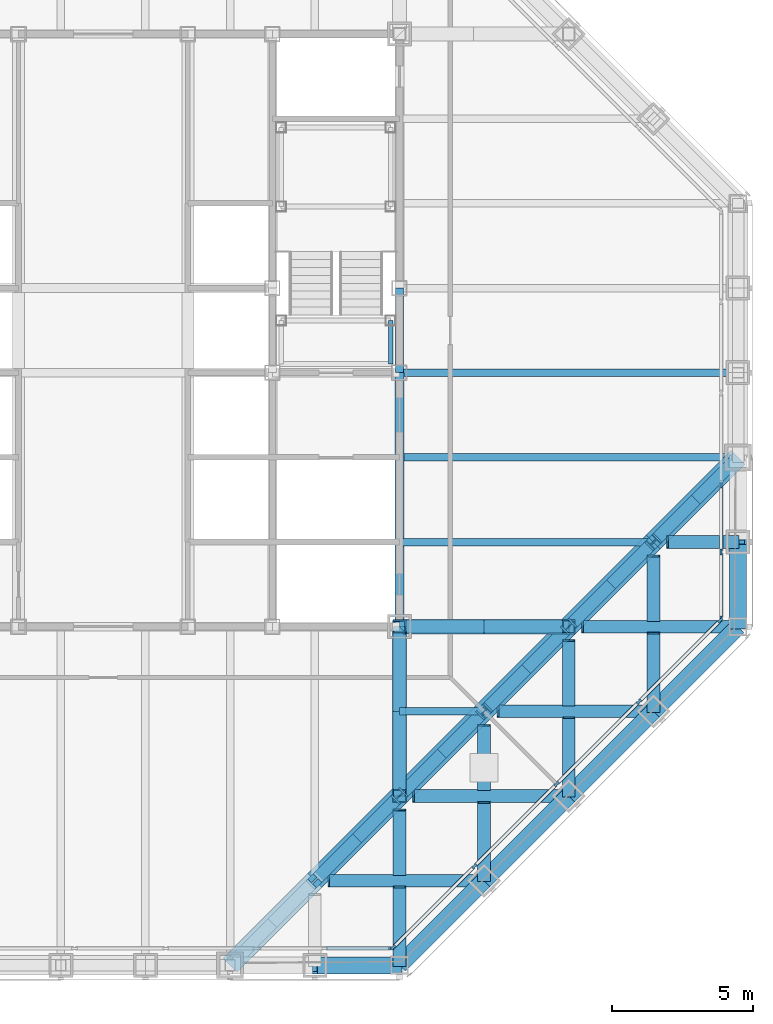
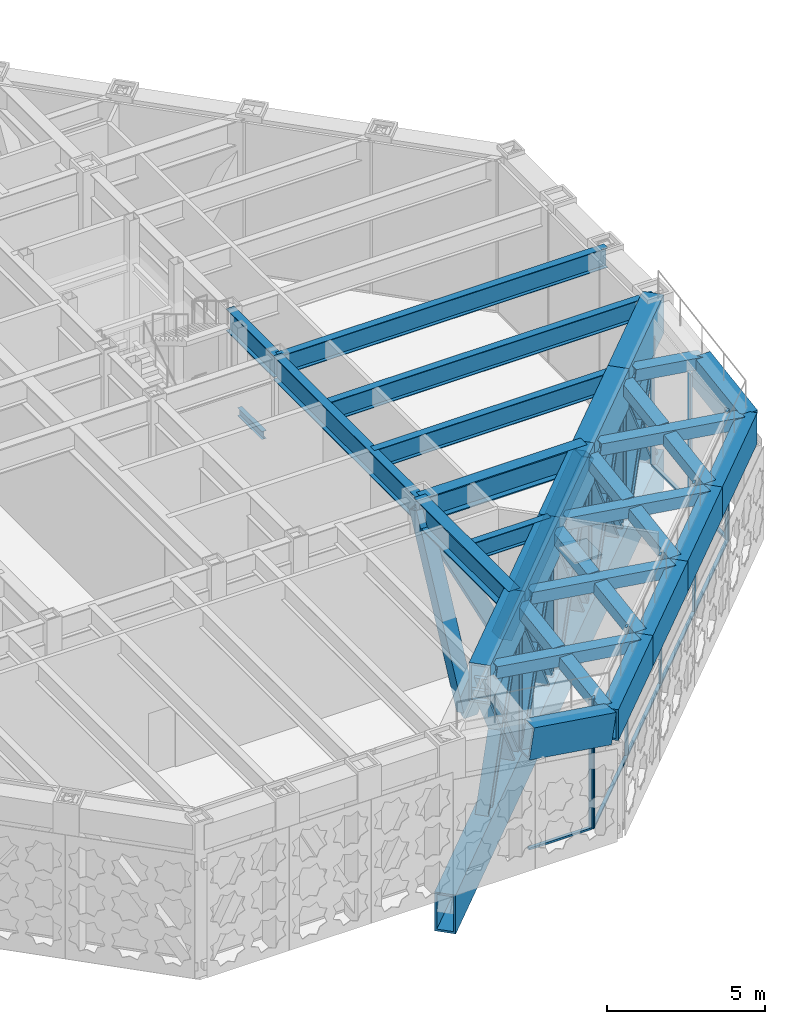
# One storey, part 7 of 29: 40 members, 28 beams, 3 elements without a shape of their own.
"""IFC4 building model written with IfcOpenShell, lengths in metres."""

from ifc_helpers import new_model, si_unit, direction, frame, origin, origin_2d, place, context, subcontext, project, spatial, rectangle, hollow_rectangle, i_section, extrude, material, layer, layer_set, material_profile, profile_set, type_object, element, aggregate, save


model = new_model("IFC4")

# Units and contexts
model_context = context("Model", 3, precision=1e-05, world=origin(), true_north=direction((0.0, 1.0)))
body_context = subcontext(model_context, "Body", "Model", "MODEL_VIEW")
ifc_project = project(units=[si_unit("LENGTHUNIT", "METRE"), si_unit("AREAUNIT", "SQUARE_METRE"), si_unit("VOLUMEUNIT", "CUBIC_METRE"), si_unit("PLANEANGLEUNIT", "RADIAN"), si_unit("MASSUNIT", "GRAM", prefix="KILO")], contexts=[model_context])

# Site, building, storey
site_placement = place(None, origin())
site = spatial("IfcSite", under=ifc_project, at=site_placement, CompositionType="ELEMENT")
building_placement = place(site_placement, origin())
building = spatial("IfcBuilding", under=site, at=building_placement, Name="Chuquiago Exchange Tower", CompositionType="ELEMENT")
storey_placement = place(building_placement, frame((0.0, 0.0, 251.699951171875)))
storey = spatial("IfcBuildingStorey", under=building, at=storey_placement, Name="L56", CompositionType="ELEMENT", Elevation=251.699951171875)

# Beams
ifc_material_1 = material(Name="Steel ASTM A992", Category="steel")
ifc_material_profile_1 = material_profile(ifc_material_1, i_section(OverallWidth=0.307373046875, OverallDepth=0.927001953125, WebThickness=0.01953125, FlangeThickness=0.031982421875, at=origin_2d()), Name="W36X194")
ifc_profile_set_1 = profile_set([ifc_material_profile_1], Name="Steel ASTM A992")
beam_type_1 = type_object("IfcBeamType", Name="B10 W36X194", PredefinedType="BEAM", material=ifc_profile_set_1)
beam_1_placement = place(storey_placement, frame((33.0, 12.0, 5.37646484375), z_axis=(0.0, 1.0, 0.0), x_axis=(-1.0, 0.0, 0.0)))
element("IfcBeam", 1, at=beam_1_placement, inside=storey, type_object=beam_type_1, Name="CB-L57-33_12-33_21", PredefinedType="BEAM", context=body_context, shape_type="SweptSolid", body=[
    extrude(i_section(OverallWidth=0.307373046875, OverallDepth=0.927001953125, WebThickness=0.01953125, FlangeThickness=0.031982421875, at=origin_2d()), origin(), (0.0, 0.0, 1.0), 9.0),
])
ifc_material_2 = material(Name="Steel ASTM A992", Category="steel")
ifc_material_profile_2 = material_profile(ifc_material_2, i_section(OverallWidth=0.2919921875, OverallDepth=0.8583984375, WebThickness=0.01708984375, FlangeThickness=0.031005859375, at=origin_2d()), Name="W33X169")
ifc_profile_set_2 = profile_set([ifc_material_profile_2], Name="Steel ASTM A992")
beam_type_2 = type_object("IfcBeamType", Name="B3 W33X169", PredefinedType="BEAM", material=ifc_profile_set_2)
beam_2_placement = place(storey_placement, frame((33.0, 21.0, 5.41064453125), z_axis=(0.0, 1.0, 0.0), x_axis=(-1.0, 0.0, 0.0)))
element("IfcBeam", 2, at=beam_2_placement, inside=storey, type_object=beam_type_2, Name="CB-L57-33_21-33_24", PredefinedType="BEAM", context=body_context, shape_type="SweptSolid", body=[
    extrude(i_section(OverallWidth=0.2919921875, OverallDepth=0.8583984375, WebThickness=0.01708984375, FlangeThickness=0.031005859375, at=origin_2d()), origin(), (0.0, 0.0, 1.0), 3.0),
])
ifc_material_3 = material(Name="Steel ASTM A992", Category="steel")
ifc_material_profile_3 = material_profile(ifc_material_3, i_section(OverallWidth=0.2666015625, OverallDepth=0.761962890625, WebThickness=0.014404296875, FlangeThickness=0.021484375, at=origin_2d()), Name="W30X116")
ifc_profile_set_3 = profile_set([ifc_material_profile_3], Name="Steel ASTM A992")
beam_type_3 = type_object("IfcBeamType", Name="B8 W30X116", PredefinedType="BEAM", material=ifc_profile_set_3)
beam_3_placement = place(storey_placement, frame((33.0, 15.0, 5.458984375), z_axis=(1.0, 0.0, 0.0), x_axis=(0.0, 1.0, 0.0)))
element("IfcBeam", 3, at=beam_3_placement, inside=storey, type_object=beam_type_3, Name="FB-L57-infill-33_15-42_15-0", PredefinedType="BEAM", context=body_context, shape_type="SweptSolid", body=[
    extrude(i_section(OverallWidth=0.2666015625, OverallDepth=0.761962890625, WebThickness=0.014404296875, FlangeThickness=0.021484375, at=origin_2d()), origin(), (0.0, 0.0, 1.0), 9.0),
])
for number, where, z_axis, x_axis, name in (
    (4, (33.0, 18.0, 5.458984375), (1.0, 0.0, 0.0), (0.0, 1.0, 0.0), "FB-L57-infill-33_18-45_18-0"),
    (5, (33.0, 21.0, 5.458984375), (1.0, 0.0, 0.0), (0.0, 1.0, 0.0), "FB-L57-infill-33_21-45_21-0"),
):
    element("IfcBeam", number, at=place(storey_placement, frame(where, z_axis=z_axis, x_axis=x_axis)), inside=storey, type_object=beam_type_3, Name=name, PredefinedType="BEAM", context=body_context, shape_type="SweptSolid", body=[
        extrude(i_section(OverallWidth=0.2666015625, OverallDepth=0.761962890625, WebThickness=0.014404296875, FlangeThickness=0.021484375, at=origin_2d()), origin(), (0.0, 0.0, 1.0), 12.0),
    ])
ifc_material_4 = material(Name="Steel ASTM A992", Category="steel")
ifc_material_profile_4 = material_profile(ifc_material_4, i_section(OverallWidth=0.256591796875, OverallDepth=0.693359375, WebThickness=0.014404296875, FlangeThickness=0.023681640625, at=origin_2d()), Name="W27X114")
ifc_profile_set_4 = profile_set([ifc_material_profile_4], Name="Steel ASTM A992")
beam_type_4 = type_object("IfcBeamType", Name="B9 W27X114", PredefinedType="BEAM", material=ifc_profile_set_4)
beam_4_placement = place(storey_placement, frame((33.0, 9.0, 5.493408203125), z_axis=(1.0, 0.0, 0.0), x_axis=(0.0, 1.0, 0.0)))
element("IfcBeam", 6, at=beam_4_placement, inside=storey, type_object=beam_type_4, Name="FB-L57-corner-33_9-36_9-0", PredefinedType="BEAM", context=body_context, shape_type="SweptSolid", body=[
    extrude(i_section(OverallWidth=0.256591796875, OverallDepth=0.693359375, WebThickness=0.014404296875, FlangeThickness=0.023681640625, at=origin_2d()), origin(), (0.0, 0.0, 1.0), 3.0),
])

# Curtain wall, member
ifc_material_5 = material(Name="Aluminium curtain wall system", Category="aluminium")
ifc_layer = layer(ifc_material_5, 0.199951171875)
ifc_layer_set = layer_set([ifc_layer], Name="CW6 plant floor louvre wall")
curtain_wall_type = type_object("IfcCurtainWallType", Name="CW6 plant floor louvre wall", PredefinedType="NOTDEFINED", material=ifc_layer_set)
curtain_wall_1_placement = place(storey_placement, origin())
curtain_wall_1 = element("IfcCurtainWall", 7, at=curtain_wall_1_placement, inside=storey, type_object=curtain_wall_type, Name="CW6 curtain wall L56", PredefinedType="NOTDEFINED")
ifc_material_6 = material(Name="Aluminium mullion, pale anodised", Category="aluminium")
ifc_material_profile_5 = material_profile(ifc_material_6, rectangle(XDim=0.074951171875, YDim=0.199951171875, at=origin_2d()), Name="AL 75x200")
ifc_profile_set_5 = profile_set([ifc_material_profile_5], Name="Aluminium mullion, pale anodised")
member_type_1 = type_object("IfcMemberType", Name="CW6-M mullion 75x200", PredefinedType="MULLION", material=ifc_profile_set_5)
member_1_placement = place(storey_placement, frame((32.7138671875, 0.60009765625, 0.0), z_axis=(0.0, 0.0, 1.0), x_axis=(0.0, 1.0, 0.0)))
member_1 = element("IfcMember", 8, at=member_1_placement, type_object=member_type_1, Name="CW6 mullion 3", PredefinedType="MULLION", context=body_context, shape_type="SweptSolid", body=[
    extrude(rectangle(XDim=0.074951171875, YDim=0.199951171875, at=origin_2d()), origin(), (0.0, 0.0, 1.0), 5.021240234375),
])

# Curtain wall, members
curtain_wall_2_placement = place(storey_placement, origin())
curtain_wall_2 = element("IfcCurtainWall", 9, at=curtain_wall_2_placement, inside=storey, type_object=curtain_wall_type, Name="CW6 curtain wall L56", PredefinedType="NOTDEFINED")
member_2_placement = place(storey_placement, frame((32.778076171875, 0.62646484375, 0.0), z_axis=(0.0, 0.0, 1.0), x_axis=(-0.707106781187, 0.707106781187, 0.0)))
member_2 = element("IfcMember", 10, at=member_2_placement, type_object=member_type_1, Name="CW6 mullion 1", PredefinedType="MULLION", context=body_context, shape_type="SweptSolid", body=[
    extrude(rectangle(XDim=0.074951171875, YDim=0.199951171875, at=origin_2d()), origin(), (0.0, 0.0, 1.0), 5.021240234375),
])
member_3_placement = place(storey_placement, frame((35.66357421875, 3.51220703125, 0.0), z_axis=(0.0, 0.0, 1.0), x_axis=(-0.707106781187, 0.707106781187, 0.0)))
member_3 = element("IfcMember", 11, at=member_3_placement, type_object=member_type_1, Name="CW6 mullion 2", PredefinedType="MULLION", context=body_context, shape_type="SweptSolid", body=[
    extrude(rectangle(XDim=0.074951171875, YDim=0.199951171875, at=origin_2d()), origin(), (0.0, 0.0, 1.0), 5.021240234375),
])
member_4_placement = place(storey_placement, frame((38.57568359375, 6.42431640625, 0.0), z_axis=(0.0, 0.0, 1.0), x_axis=(-0.707106781187, 0.707106781187, 0.0)))
member_4 = element("IfcMember", 12, at=member_4_placement, type_object=member_type_1, Name="CW6 mullion 3", PredefinedType="MULLION", context=body_context, shape_type="SweptSolid", body=[
    extrude(rectangle(XDim=0.074951171875, YDim=0.199951171875, at=origin_2d()), origin(), (0.0, 0.0, 1.0), 5.021240234375),
])
member_5_placement = place(storey_placement, frame((41.48779296875, 9.33642578125, 0.0), z_axis=(0.0, 0.0, 1.0), x_axis=(-0.707106781187, 0.707106781187, 0.0)))
member_5 = element("IfcMember", 13, at=member_5_placement, type_object=member_type_1, Name="CW6 mullion 4", PredefinedType="MULLION", context=body_context, shape_type="SweptSolid", body=[
    extrude(rectangle(XDim=0.074951171875, YDim=0.199951171875, at=origin_2d()), origin(), (0.0, 0.0, 1.0), 5.021240234375),
])
member_6_placement = place(storey_placement, frame((44.37353515625, 12.221923828125, 0.0), z_axis=(0.0, 0.0, 1.0), x_axis=(-0.707106781187, 0.707106781187, 0.0)))
member_6 = element("IfcMember", 14, at=member_6_placement, type_object=member_type_1, Name="CW6 mullion 5", PredefinedType="MULLION", context=body_context, shape_type="SweptSolid", body=[
    extrude(rectangle(XDim=0.074951171875, YDim=0.199951171875, at=origin_2d()), origin(), (0.0, 0.0, 1.0), 5.021240234375),
])

curtain_wall_3_placement = place(storey_placement, origin())
curtain_wall_3 = element("IfcCurtainWall", 15, at=curtain_wall_3_placement, inside=storey, type_object=curtain_wall_type, Name="CW6 curtain wall L56", PredefinedType="NOTDEFINED")
member_7_placement = place(storey_placement, frame((44.39990234375, 12.285888671875, 0.0), z_axis=(0.0, 0.0, 1.0), x_axis=(-1.0, 0.0, 0.0)))
member_7 = element("IfcMember", 16, at=member_7_placement, type_object=member_type_1, Name="CW6 mullion 1", PredefinedType="MULLION", context=body_context, shape_type="SweptSolid", body=[
    extrude(rectangle(XDim=0.074951171875, YDim=0.199951171875, at=origin_2d()), origin(), (0.0, 0.0, 1.0), 5.021240234375),
])
member_8_placement = place(storey_placement, frame((44.39990234375, 14.6474609375, 0.0), z_axis=(0.0, 0.0, 1.0), x_axis=(-1.0, 0.0, 0.0)))
member_8 = element("IfcMember", 17, at=member_8_placement, type_object=member_type_1, Name="CW6 mullion 2", PredefinedType="MULLION", context=body_context, shape_type="SweptSolid", body=[
    extrude(rectangle(XDim=0.074951171875, YDim=0.199951171875, at=origin_2d()), origin(), (0.0, 0.0, 1.0), 5.021240234375),
])
member_9_placement = place(storey_placement, frame((44.39990234375, 17.0087890625, 0.0), z_axis=(0.0, 0.0, 1.0), x_axis=(-1.0, 0.0, 0.0)))
member_9 = element("IfcMember", 18, at=member_9_placement, type_object=member_type_1, Name="CW6 mullion 3", PredefinedType="MULLION", context=body_context, shape_type="SweptSolid", body=[
    extrude(rectangle(XDim=0.074951171875, YDim=0.199951171875, at=origin_2d()), origin(), (0.0, 0.0, 1.0), 5.021240234375),
])

# Member
ifc_material_7 = material(Name="Aluminium transom, pale anodised", Category="aluminium")
ifc_material_profile_6 = material_profile(ifc_material_7, rectangle(XDim=0.1201171875, YDim=0.074951171875, at=origin_2d()), Name="AL 120x75")
ifc_profile_set_6 = profile_set([ifc_material_profile_6], Name="Aluminium transom, pale anodised")
member_type_2 = type_object("IfcMemberType", Name="CW6-T transom 75x120", PredefinedType="MULLION", material=ifc_profile_set_6)
member_10_placement = place(storey_placement, frame((30.389892578125, 0.60009765625, 0.03759765625), z_axis=(1.0, 0.0, 0.0), x_axis=(0.0, 1.0, 0.0)))
member_10 = element("IfcMember", 19, at=member_10_placement, type_object=member_type_2, Name="CW6 transom 2.1", PredefinedType="MULLION", context=body_context, shape_type="SweptSolid", body=[
    extrude(rectangle(XDim=0.1201171875, YDim=0.074951171875, at=origin_2d()), origin(), (0.0, 0.0, 1.0), 2.28662109375),
])

aggregate(curtain_wall_1, [member_1, member_10])

member_11_placement = place(storey_placement, frame((32.804443359375, 0.653076171875, 0.03759765625), z_axis=(0.707137252703, 0.707076308357, 0.0), x_axis=(-0.707076308357, 0.707137252703, 0.0)))
member_11 = element("IfcMember", 20, at=member_11_placement, type_object=member_type_2, Name="CW6 transom 1.1", PredefinedType="MULLION", context=body_context, shape_type="SweptSolid", body=[
    extrude(rectangle(XDim=0.1201171875, YDim=0.074951171875, at=origin_2d()), origin(), (0.0, 0.0, 1.0), 4.005859375),
])

member_12_placement = place(storey_placement, frame((35.690185546875, 3.53857421875, 0.03759765625), z_axis=(0.707106781187, 0.707106781187, 0.0), x_axis=(-0.707106781187, 0.707106781187, 0.0)))
member_12 = element("IfcMember", 21, at=member_12_placement, type_object=member_type_2, Name="CW6 transom 2.1", PredefinedType="MULLION", context=body_context, shape_type="SweptSolid", body=[
    extrude(rectangle(XDim=0.1201171875, YDim=0.074951171875, at=origin_2d()), origin(), (0.0, 0.0, 1.0), 4.04345703125),
])

member_13_placement = place(storey_placement, frame((38.602294921875, 6.45068359375, 0.03759765625), z_axis=(0.707106781187, 0.707106781187, 0.0), x_axis=(-0.707106781187, 0.707106781187, 0.0)))
member_13 = element("IfcMember", 22, at=member_13_placement, type_object=member_type_2, Name="CW6 transom 3.1", PredefinedType="MULLION", context=body_context, shape_type="SweptSolid", body=[
    extrude(rectangle(XDim=0.1201171875, YDim=0.074951171875, at=origin_2d()), origin(), (0.0, 0.0, 1.0), 4.04345703125),
])

member_14_placement = place(storey_placement, frame((41.514404296875, 9.36279296875, 0.03759765625), z_axis=(0.707076308357, 0.707137252703, 0.0), x_axis=(-0.707137252703, 0.707076308357, 0.0)))
member_14 = element("IfcMember", 23, at=member_14_placement, type_object=member_type_2, Name="CW6 transom 4.1", PredefinedType="MULLION", context=body_context, shape_type="SweptSolid", body=[
    extrude(rectangle(XDim=0.1201171875, YDim=0.074951171875, at=origin_2d()), origin(), (0.0, 0.0, 1.0), 4.005859375),
])

aggregate(curtain_wall_2, [member_2, member_3, member_4, member_5, member_6, member_11, member_12, member_13, member_14])

member_15_placement = place(storey_placement, frame((44.39990234375, 12.323486328125, 0.03759765625), z_axis=(0.0, 1.0, 0.0), x_axis=(-1.0, 0.0, 0.0)))
member_15 = element("IfcMember", 24, at=member_15_placement, type_object=member_type_2, Name="CW6 transom 1.1", PredefinedType="MULLION", context=body_context, shape_type="SweptSolid", body=[
    extrude(rectangle(XDim=0.1201171875, YDim=0.074951171875, at=origin_2d()), origin(), (0.0, 0.0, 1.0), 2.286376953125),
])

member_16_placement = place(storey_placement, frame((44.39990234375, 14.68505859375, 0.03759765625), z_axis=(0.0, 1.0, 0.0), x_axis=(-1.0, 0.0, 0.0)))
member_16 = element("IfcMember", 25, at=member_16_placement, type_object=member_type_2, Name="CW6 transom 2.1", PredefinedType="MULLION", context=body_context, shape_type="SweptSolid", body=[
    extrude(rectangle(XDim=0.1201171875, YDim=0.074951171875, at=origin_2d()), origin(), (0.0, 0.0, 1.0), 2.286376953125),
])

aggregate(curtain_wall_3, [member_7, member_8, member_9, member_15, member_16])

# Beams
ifc_material_8 = material(Name="Steel ASTM A572 Grade 50", Category="steel")
ifc_material_profile_7 = material_profile(ifc_material_8, hollow_rectangle(XDim=0.60009765625, YDim=1.199951171875, WallThickness=0.074951171875, at=origin_2d()), Name="BOX1200X600X75")
ifc_profile_set_7 = profile_set([ifc_material_profile_7], Name="Steel ASTM A572 Grade 50")
beam_type_5 = type_object("IfcBeamType", Name="EB3 BOX1200X600X75", PredefinedType="BEAM", material=ifc_profile_set_7)
beam_5_placement = place(storey_placement, frame((30.0, 0.0, 4.749267578125), z_axis=(0.98889144561, 0.0, -0.148639526371), x_axis=(0.0, 1.0, 0.0)))
element("IfcBeam", 26, at=beam_5_placement, inside=storey, type_object=beam_type_5, Name="Facet roof edge beam L56", PredefinedType="BEAM", context=body_context, shape_type="SweptSolid", body=[
    extrude(hollow_rectangle(XDim=0.60009765625, YDim=1.199951171875, WallThickness=0.074951171875, at=origin_2d()), origin(), (0.0, 0.0, 1.0), 3.03369140625),
])
for number, where, z_axis, x_axis, name in (
    (27, (33.0, 0.0, 4.29833984375), (0.707106781187, 0.707106781187, 0.0), (-0.707106781187, 0.707106781187, 0.0), "Facet roof edge beam L56"),
    (28, (36.0, 3.0, 4.29833984375), (0.707106781187, 0.707106781187, 0.0), (-0.707106781187, 0.707106781187, 0.0), "Facet roof edge beam L56"),
    (29, (39.0, 6.0, 4.29833984375), (0.707106781187, 0.707106781187, 0.0), (-0.707106781187, 0.707106781187, 0.0), "Facet roof edge beam L56"),
    (30, (42.0, 9.0, 4.29833984375), (0.707106781187, 0.707106781187, 0.0), (-0.707106781187, 0.707106781187, 0.0), "Facet roof edge beam L56"),
):
    element("IfcBeam", number, at=place(storey_placement, frame(where, z_axis=z_axis, x_axis=x_axis)), inside=storey, type_object=beam_type_5, Name=name, PredefinedType="BEAM", context=body_context, shape_type="SweptSolid", body=[
        extrude(hollow_rectangle(XDim=0.60009765625, YDim=1.199951171875, WallThickness=0.074951171875, at=origin_2d()), origin(), (0.0, 0.0, 1.0), 4.24267578125),
    ])
beam_6_placement = place(storey_placement, frame((45.0, 12.0, 4.29833984375), z_axis=(0.0, 0.98889144561, 0.148639526371), x_axis=(-1.0, 0.0, 0.0)))
element("IfcBeam", 31, at=beam_6_placement, inside=storey, type_object=beam_type_5, Name="Facet roof edge beam L56", PredefinedType="BEAM", context=body_context, shape_type="SweptSolid", body=[
    extrude(hollow_rectangle(XDim=0.60009765625, YDim=1.199951171875, WallThickness=0.074951171875, at=origin_2d()), origin(), (0.0, 0.0, 1.0), 3.03369140625),
])
ifc_material_9 = material(Name="Steel ASTM A572 Grade 50", Category="steel")
ifc_material_profile_8 = material_profile(ifc_material_9, hollow_rectangle(XDim=0.449951171875, YDim=0.449951171875, WallThickness=0.034912109375, at=origin_2d()), Name="BOX450X450X35")
ifc_profile_set_8 = profile_set([ifc_material_profile_8], Name="Steel ASTM A572 Grade 50")
beam_type_6 = type_object("IfcBeamType", Name="FR1 BOX450X450X35", PredefinedType="BEAM", material=ifc_profile_set_8)
for number, where, z_axis, x_axis, name in (
    (32, (30.492919921875, 3.0, 5.464599609375), (0.988894832514, 0.0, -0.14861699172), (0.0, 1.0, 0.0), "Facet roof rafter L56"),
    (33, (33.492919921875, 6.0, 5.464599609375), (0.988894832514, 0.0, -0.14861699172), (0.0, 1.0, 0.0), "Facet roof rafter L56"),
):
    element("IfcBeam", number, at=place(storey_placement, frame(where, z_axis=z_axis, x_axis=x_axis)), inside=storey, type_object=beam_type_6, Name=name, PredefinedType="BEAM", context=body_context, shape_type="SweptSolid", body=[
        extrude(hollow_rectangle(XDim=0.449951171875, YDim=0.449951171875, WallThickness=0.034912109375, at=origin_2d()), origin(), (0.0, 0.0, 1.0), 5.56884765625),
    ])
beam_7_placement = place(storey_placement, frame((33.0, 5.507080078125, 5.464599609375), z_axis=(0.0, -0.988890520477, -0.148645681103), x_axis=(1.0, 0.0, 0.0)))
element("IfcBeam", 34, at=beam_7_placement, inside=storey, type_object=beam_type_6, Name="Facet roof rafter L56", PredefinedType="BEAM", context=body_context, shape_type="SweptSolid", body=[
    extrude(hollow_rectangle(XDim=0.449951171875, YDim=0.449951171875, WallThickness=0.034912109375, at=origin_2d()), origin(), (0.0, 0.0, 1.0), 2.3076171875),
])
beam_8_placement = place(storey_placement, frame((33.0, 2.77490234375, 5.053955078125), z_axis=(0.0, -0.988896750706, -0.148604227539), x_axis=(1.0, 0.0, 0.0)))
element("IfcBeam", 35, at=beam_8_placement, inside=storey, type_object=beam_type_6, Name="Facet roof rafter L56", PredefinedType="BEAM", context=body_context, shape_type="SweptSolid", body=[
    extrude(hollow_rectangle(XDim=0.449951171875, YDim=0.449951171875, WallThickness=0.034912109375, at=origin_2d()), origin(), (0.0, 0.0, 1.0), 2.80615234375),
])
beam_9_placement = place(storey_placement, frame((36.492919921875, 9.0, 5.464599609375), z_axis=(0.988894832514, 0.0, -0.14861699172), x_axis=(0.0, 1.0, 0.0)))
element("IfcBeam", 36, at=beam_9_placement, inside=storey, type_object=beam_type_6, Name="Facet roof rafter L56", PredefinedType="BEAM", context=body_context, shape_type="SweptSolid", body=[
    extrude(hollow_rectangle(XDim=0.449951171875, YDim=0.449951171875, WallThickness=0.034912109375, at=origin_2d()), origin(), (0.0, 0.0, 1.0), 5.56884765625),
])
beam_10_placement = place(storey_placement, frame((36.0, 8.507080078125, 5.464599609375), z_axis=(0.0, -0.988890520477, -0.148645681103), x_axis=(1.0, 0.0, 0.0)))
element("IfcBeam", 37, at=beam_10_placement, inside=storey, type_object=beam_type_6, Name="Facet roof rafter L56", PredefinedType="BEAM", context=body_context, shape_type="SweptSolid", body=[
    extrude(hollow_rectangle(XDim=0.449951171875, YDim=0.449951171875, WallThickness=0.034912109375, at=origin_2d()), origin(), (0.0, 0.0, 1.0), 2.3076171875),
])
beam_11_placement = place(storey_placement, frame((36.0, 5.77490234375, 5.053955078125), z_axis=(0.0, -0.988896750706, -0.148604227539), x_axis=(1.0, 0.0, 0.0)))
element("IfcBeam", 38, at=beam_11_placement, inside=storey, type_object=beam_type_6, Name="Facet roof rafter L56", PredefinedType="BEAM", context=body_context, shape_type="SweptSolid", body=[
    extrude(hollow_rectangle(XDim=0.449951171875, YDim=0.449951171875, WallThickness=0.034912109375, at=origin_2d()), origin(), (0.0, 0.0, 1.0), 2.80615234375),
])
beam_12_placement = place(storey_placement, frame((39.492919921875, 12.0, 5.464599609375), z_axis=(0.988894832514, 0.0, -0.14861699172), x_axis=(0.0, 1.0, 0.0)))
element("IfcBeam", 39, at=beam_12_placement, inside=storey, type_object=beam_type_6, Name="Facet roof rafter L56", PredefinedType="BEAM", context=body_context, shape_type="SweptSolid", body=[
    extrude(hollow_rectangle(XDim=0.449951171875, YDim=0.449951171875, WallThickness=0.034912109375, at=origin_2d()), origin(), (0.0, 0.0, 1.0), 5.56884765625),
])
beam_13_placement = place(storey_placement, frame((39.0, 11.507080078125, 5.464599609375), z_axis=(0.0, -0.988890520477, -0.148645681103), x_axis=(1.0, 0.0, 0.0)))
element("IfcBeam", 40, at=beam_13_placement, inside=storey, type_object=beam_type_6, Name="Facet roof rafter L56", PredefinedType="BEAM", context=body_context, shape_type="SweptSolid", body=[
    extrude(hollow_rectangle(XDim=0.449951171875, YDim=0.449951171875, WallThickness=0.034912109375, at=origin_2d()), origin(), (0.0, 0.0, 1.0), 2.3076171875),
])
beam_14_placement = place(storey_placement, frame((39.0, 8.77490234375, 5.053955078125), z_axis=(0.0, -0.988896750706, -0.148604227539), x_axis=(1.0, 0.0, 0.0)))
element("IfcBeam", 41, at=beam_14_placement, inside=storey, type_object=beam_type_6, Name="Facet roof rafter L56", PredefinedType="BEAM", context=body_context, shape_type="SweptSolid", body=[
    extrude(hollow_rectangle(XDim=0.449951171875, YDim=0.449951171875, WallThickness=0.034912109375, at=origin_2d()), origin(), (0.0, 0.0, 1.0), 2.80615234375),
])
beam_15_placement = place(storey_placement, frame((42.492919921875, 15.0, 5.464599609375), z_axis=(0.988898884676, 0.0, -0.148590026201), x_axis=(0.0, 1.0, 0.0)))
element("IfcBeam", 42, at=beam_15_placement, inside=storey, type_object=beam_type_6, Name="Facet roof rafter L56", PredefinedType="BEAM", context=body_context, shape_type="SweptSolid", body=[
    extrude(hollow_rectangle(XDim=0.449951171875, YDim=0.449951171875, WallThickness=0.034912109375, at=origin_2d()), origin(), (0.0, 0.0, 1.0), 2.53515625),
])
beam_16_placement = place(storey_placement, frame((42.0, 14.507080078125, 5.464599609375), z_axis=(0.0, -0.988890520477, -0.148645681103), x_axis=(1.0, 0.0, 0.0)))
element("IfcBeam", 43, at=beam_16_placement, inside=storey, type_object=beam_type_6, Name="Facet roof rafter L56", PredefinedType="BEAM", context=body_context, shape_type="SweptSolid", body=[
    extrude(hollow_rectangle(XDim=0.449951171875, YDim=0.449951171875, WallThickness=0.034912109375, at=origin_2d()), origin(), (0.0, 0.0, 1.0), 2.3076171875),
])
beam_17_placement = place(storey_placement, frame((42.0, 11.77490234375, 5.053955078125), z_axis=(0.0, -0.988896750706, -0.148604227539), x_axis=(1.0, 0.0, 0.0)))
element("IfcBeam", 44, at=beam_17_placement, inside=storey, type_object=beam_type_6, Name="Facet roof rafter L56", PredefinedType="BEAM", context=body_context, shape_type="SweptSolid", body=[
    extrude(hollow_rectangle(XDim=0.449951171875, YDim=0.449951171875, WallThickness=0.034912109375, at=origin_2d()), origin(), (0.0, 0.0, 1.0), 2.80615234375),
])
ifc_material_10 = material(Name="Steel ASTM A992", Category="steel")
ifc_material_profile_9 = material_profile(ifc_material_10, i_section(OverallWidth=0.424072265625, OverallDepth=0.947509765625, WebThickness=0.02392578125, FlangeThickness=0.042724609375, at=origin_2d()), Name="W36X302")
ifc_profile_set_9 = profile_set([ifc_material_profile_9], Name="Steel ASTM A992")
beam_type_7 = type_object("IfcBeamType", Name="G4 W36X302", PredefinedType="BEAM", material=ifc_profile_set_9)
for number, where, z_axis, x_axis, name in (
    (45, (33.0, 12.0, 5.366455078125), (0.0, -1.0, 0.0), (1.0, 0.0, 0.0), "FB-L57-girder-33_12-33_6-0"),
    (46, (33.0, 12.0, 5.366455078125), (1.0, 0.0, 0.0), (0.0, 1.0, 0.0), "FB-L57-girder-33_12-39_12-0"),
):
    element("IfcBeam", number, at=place(storey_placement, frame(where, z_axis=z_axis, x_axis=x_axis)), inside=storey, type_object=beam_type_7, Name=name, PredefinedType="BEAM", context=body_context, shape_type="SweptSolid", body=[
        extrude(i_section(OverallWidth=0.424072265625, OverallDepth=0.947509765625, WebThickness=0.02392578125, FlangeThickness=0.042724609375, at=origin_2d()), origin(), (0.0, 0.0, 1.0), 6.0),
    ])
ifc_material_11 = material(Name="Steel ASTM A992", Category="steel")
ifc_material_profile_10 = material_profile(ifc_material_11, i_section(OverallWidth=0.164794921875, OverallDepth=0.309814453125, WebThickness=0.005859375, FlangeThickness=0.009765625, at=origin_2d()), Name="W12X26")
ifc_profile_set_10 = profile_set([ifc_material_profile_10], Name="Steel ASTM A992")
beam_type_8 = type_object("IfcBeamType", Name="LS1 W12X26", PredefinedType="BEAM", material=ifc_profile_set_10)
beam_18_placement = place(storey_placement, frame((32.68994140625, 21.31005859375, 2.645263671875), z_axis=(0.0, 1.0, 0.0), x_axis=(-1.0, 0.0, 0.0)))
element("IfcBeam", 47, at=beam_18_placement, inside=storey, type_object=beam_type_8, Name="Stair ST2 L56 landing 2 stringer", PredefinedType="BEAM", context=body_context, shape_type="SweptSolid", body=[
    extrude(i_section(OverallWidth=0.164794921875, OverallDepth=0.309814453125, WebThickness=0.005859375, FlangeThickness=0.009765625, at=origin_2d()), origin(), (0.0, 0.0, 1.0), 1.5400390625),
])

# Members
ifc_material_12 = material(Name="Steel ASTM A572 Grade 50", Category="steel")
ifc_material_profile_11 = material_profile(ifc_material_12, hollow_rectangle(XDim=0.5, YDim=0.5, WallThickness=0.0400390625, at=origin_2d()), Name="BOX500X500X40")
ifc_profile_set_11 = profile_set([ifc_material_profile_11], Name="Steel ASTM A572 Grade 50")
member_type_3 = type_object("IfcMemberType", Name="OT1 BOX500X500X40", PredefinedType="BRACE", material=ifc_profile_set_11)
for number, where, z_axis, x_axis, name in (
    (48, (33.0, 12.0, 5.366455078125), (0.0, -0.4472135955, -0.894427191), (1.0, 0.0, 0.0), "Outrigger diagonal L56"),
    (49, (33.0, 9.0, -0.633544921875), (0.0, -0.4472135955, 0.894427191), (1.0, 0.0, 0.0), "Outrigger diagonal L56"),
    (50, (33.0, 12.0, 5.366455078125), (0.4472135955, 0.0, -0.894427191), (0.0, 1.0, 0.0), "Outrigger diagonal L56"),
    (51, (36.0, 12.0, -0.633544921875), (0.4472135955, 0.0, 0.894427191), (0.0, 1.0, 0.0), "Outrigger diagonal L56"),
):
    element("IfcMember", number, at=place(storey_placement, frame(where, z_axis=z_axis, x_axis=x_axis)), inside=storey, type_object=member_type_3, Name=name, PredefinedType="BRACE", context=body_context, shape_type="SweptSolid", body=[
        extrude(hollow_rectangle(XDim=0.5, YDim=0.5, WallThickness=0.0400390625, at=origin_2d()), origin(), (0.0, 0.0, 1.0), 6.708251953125),
    ])
ifc_material_13 = material(Name="Steel ASTM A572 Grade 50", Category="steel")
ifc_material_profile_12 = material_profile(ifc_material_13, hollow_rectangle(XDim=0.699951171875, YDim=1.5, WallThickness=0.080078125, at=origin_2d()), Name="BOX1500X700X80")
ifc_profile_set_12 = profile_set([ifc_material_profile_12], Name="Steel ASTM A572 Grade 50")
member_type_4 = type_object("IfcMemberType", Name="TT1 BOX1500X700X80", PredefinedType="CHORD", material=ifc_profile_set_12)
for number, where, z_axis, x_axis, name in (
    (52, (30.0, 3.0, 5.090087890625), (0.707106781187, 0.707106781187, 0.0), (-0.707106781187, 0.707106781187, 0.0), "Transfer truss L56 SE top chord"),
    (53, (33.0, 6.0, 5.090087890625), (0.707106781187, 0.707106781187, 0.0), (-0.707106781187, 0.707106781187, 0.0), "Transfer truss L56 SE top chord"),
    (54, (36.0, 9.0, 5.090087890625), (0.707106781187, 0.707106781187, 0.0), (-0.707106781187, 0.707106781187, 0.0), "Transfer truss L56 SE top chord"),
    (55, (39.0, 12.0, 5.090087890625), (0.707106781187, 0.707106781187, 0.0), (-0.707106781187, 0.707106781187, 0.0), "Transfer truss L56 SE top chord"),
    (56, (42.0, 15.0, 5.090087890625), (0.707106781187, 0.707106781187, 0.0), (-0.707106781187, 0.707106781187, 0.0), "Transfer truss L56 SE top chord"),
):
    element("IfcMember", number, at=place(storey_placement, frame(where, z_axis=z_axis, x_axis=x_axis)), inside=storey, type_object=member_type_4, Name=name, PredefinedType="CHORD", context=body_context, shape_type="SweptSolid", body=[
        extrude(hollow_rectangle(XDim=0.699951171875, YDim=1.5, WallThickness=0.080078125, at=origin_2d()), origin(), (0.0, 0.0, 1.0), 4.24267578125),
    ])
member_17_placement = place(storey_placement, frame((27.0, 0.0, -0.909912109375), z_axis=(0.707106781187, 0.707106781187, 0.0), x_axis=(-0.707106781187, 0.707106781187, 0.0)))
element("IfcMember", 57, at=member_17_placement, inside=storey, type_object=member_type_4, Name="Transfer truss L56 SE bottom chord", PredefinedType="CHORD", context=body_context, shape_type="SweptSolid", body=[
    extrude(hollow_rectangle(XDim=0.699951171875, YDim=1.5, WallThickness=0.080078125, at=origin_2d()), origin(), (0.0, 0.0, 1.0), 25.455810546875),
])
ifc_material_14 = material(Name="Steel ASTM A992", Category="steel")
ifc_material_profile_13 = material_profile(ifc_material_14, i_section(OverallWidth=0.41650390625, OverallDepth=0.444580078125, WebThickness=0.0390625, FlangeThickness=0.062744140625, at=origin_2d()), Name="W14X342")
ifc_profile_set_13 = profile_set([ifc_material_profile_13], Name="Steel ASTM A992")
member_type_5 = type_object("IfcMemberType", Name="TT2 W14X342", PredefinedType="STRUT", material=ifc_profile_set_13)
for number, where, z_axis, x_axis, name in (
    (58, (33.0, 6.0, -0.909912109375), (0.0, 0.0, 1.0), (0.707106781187, -0.707106781187, 0.0), "Transfer truss L56 SE post"),
    (59, (36.0, 9.0, -0.909912109375), (0.0, 0.0, 1.0), (0.707106781187, -0.707106781187, 0.0), "Transfer truss L56 SE post"),
    (60, (39.0, 12.0, -0.909912109375), (0.0, 0.0, 1.0), (0.707106781187, -0.707106781187, 0.0), "Transfer truss L56 SE post"),
    (61, (42.0, 15.0, -0.909912109375), (0.0, 0.0, 1.0), (0.707106781187, -0.707106781187, 0.0), "Transfer truss L56 SE post"),
):
    element("IfcMember", number, at=place(storey_placement, frame(where, z_axis=z_axis, x_axis=x_axis)), inside=storey, type_object=member_type_5, Name=name, PredefinedType="STRUT", context=body_context, shape_type="SweptSolid", body=[
        extrude(i_section(OverallWidth=0.41650390625, OverallDepth=0.444580078125, WebThickness=0.0390625, FlangeThickness=0.062744140625, at=origin_2d()), origin(), (0.0, 0.0, 1.0), 6.0),
    ])
ifc_material_15 = material(Name="Steel ASTM A992", Category="steel")
ifc_material_profile_14 = material_profile(ifc_material_15, i_section(OverallWidth=0.431884765625, OverallDepth=0.497802734375, WebThickness=0.0556640625, FlangeThickness=0.0888671875, at=origin_2d()), Name="W14X500")
ifc_profile_set_14 = profile_set([ifc_material_profile_14], Name="Steel ASTM A992")
member_type_6 = type_object("IfcMemberType", Name="TT3 W14X500", PredefinedType="BRACE", material=ifc_profile_set_14)
for number, where, z_axis, x_axis, name in (
    (62, (33.0, 6.0, -0.909912109375), (-0.408248290464, -0.408248290464, 0.816496580928), (0.707106781187, -0.707106781187, 0.0), "Transfer truss L56 SE diagonal"),
    (63, (30.0, 3.0, -0.909912109375), (0.408248290464, 0.408248290464, 0.816496580928), (-0.707106781187, 0.707106781187, 0.0), "Transfer truss L56 SE counter-diagonal"),
    (64, (33.0, 6.0, -0.909912109375), (0.408248290464, 0.408248290464, 0.816496580928), (-0.707106781187, 0.707106781187, 0.0), "Transfer truss L56 SE diagonal"),
    (65, (36.0, 9.0, -0.909912109375), (-0.408248290464, -0.408248290464, 0.816496580928), (0.707106781187, -0.707106781187, 0.0), "Transfer truss L56 SE counter-diagonal"),
    (66, (39.0, 12.0, -0.909912109375), (-0.408248290464, -0.408248290464, 0.816496580928), (0.707106781187, -0.707106781187, 0.0), "Transfer truss L56 SE diagonal"),
    (67, (36.0, 9.0, -0.909912109375), (0.408248290464, 0.408248290464, 0.816496580928), (-0.707106781187, 0.707106781187, 0.0), "Transfer truss L56 SE counter-diagonal"),
    (68, (39.0, 12.0, -0.909912109375), (0.408248290464, 0.408248290464, 0.816496580928), (-0.707106781187, 0.707106781187, 0.0), "Transfer truss L56 SE diagonal"),
    (69, (42.0, 15.0, -0.909912109375), (-0.408248290464, -0.408248290464, 0.816496580928), (0.707106781187, -0.707106781187, 0.0), "Transfer truss L56 SE counter-diagonal"),
    (70, (45.0, 18.0, -0.909912109375), (-0.408248290464, -0.408248290464, 0.816496580928), (0.707106781187, -0.707106781187, 0.0), "Transfer truss L56 SE diagonal"),
    (71, (42.0, 15.0, -0.909912109375), (0.408248290464, 0.408248290464, 0.816496580928), (-0.707106781187, 0.707106781187, 0.0), "Transfer truss L56 SE counter-diagonal"),
):
    element("IfcMember", number, at=place(storey_placement, frame(where, z_axis=z_axis, x_axis=x_axis)), inside=storey, type_object=member_type_6, Name=name, PredefinedType="BRACE", context=body_context, shape_type="SweptSolid", body=[
        extrude(i_section(OverallWidth=0.431884765625, OverallDepth=0.497802734375, WebThickness=0.0556640625, FlangeThickness=0.0888671875, at=origin_2d()), origin(), (0.0, 0.0, 1.0), 7.348388671875),
    ])

save(model, "model.ifc")
